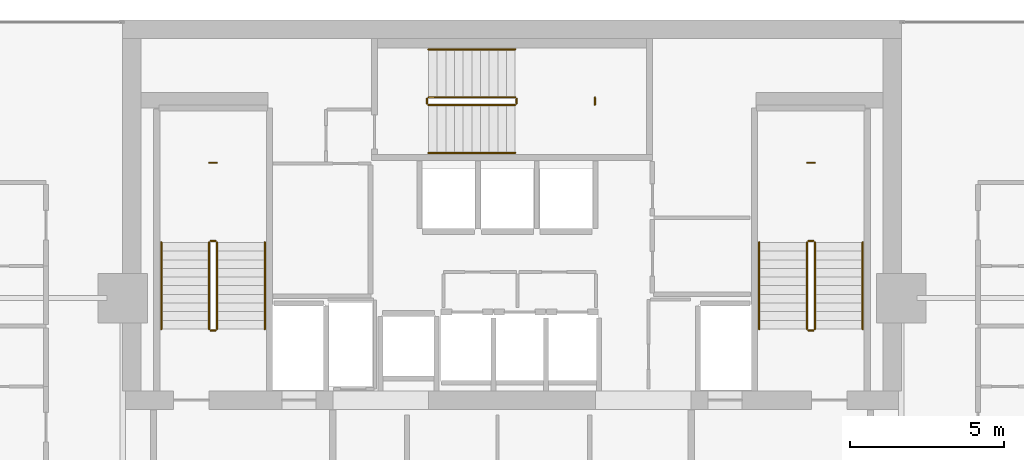
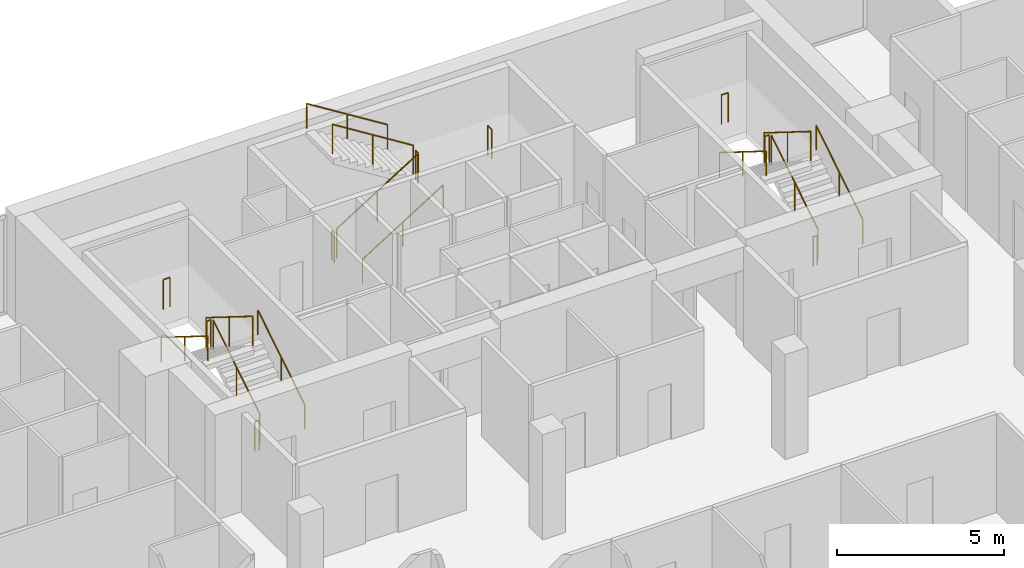
# One storey, part 26 of 26: 21 railings.
"""IFC4 building model written with IfcOpenShell, lengths in metres."""

from ifc_helpers import new_model, si_unit, direction, frame, origin, origin_2d, place, context, subcontext, project, spatial, circle, extrude, material, type_object, element, save


model = new_model("IFC4")

# Units and contexts
model_context = context("Model", 3, precision=1e-05, world=origin(), true_north=direction((0.0, 1.0)))
body_context = subcontext(model_context, "Body", "Model", "MODEL_VIEW")
ifc_project = project(units=[si_unit("LENGTHUNIT", "METRE"), si_unit("AREAUNIT", "SQUARE_METRE"), si_unit("VOLUMEUNIT", "CUBIC_METRE"), si_unit("PLANEANGLEUNIT", "RADIAN"), si_unit("MASSUNIT", "GRAM", prefix="KILO")], contexts=[model_context])

# Site, building, storey
site_placement = place(None, origin())
site = spatial("IfcSite", under=ifc_project, at=site_placement, CompositionType="ELEMENT")
building_placement = place(site_placement, origin())
building = spatial("IfcBuilding", under=site, at=building_placement, Name="Maruvema Waterfront Hotel and Observation Tower", CompositionType="ELEMENT")
storey_placement = place(building_placement, frame((0.0, 0.0, 289.449951171875)))
storey = spatial("IfcBuildingStorey", under=building, at=storey_placement, Name="L71", CompositionType="ELEMENT", Elevation=289.449951171875)

# Railings
ifc_material_1 = material(Name="Brushed stainless steel Grade 316", Category="steel")
railing_type_1 = type_object("IfcRailingType", Name="Ramp Continuous Wall Handrail 920 mm", PredefinedType="HANDRAIL", material=ifc_material_1)
railing_1_placement = place(storey_placement, frame((29.800048828125, 44.0, 0.175048828125)))
element("IfcRailing", 1, at=railing_1_placement, inside=storey, type_object=railing_type_1, Name="L71 ST-01 stair handrail 1", PredefinedType="HANDRAIL", context=body_context, shape_type="SweptSolid", body=[
    extrude(circle(Radius=0.02392578125, at=origin_2d()), frame((0.0, 0.0, 0.89599609375), z_axis=(0.0, 0.848002457836, 0.529992293815), x_axis=(-1.0, 0.0, 0.0)), (0.0, 0.0, 1.0), 3.302001953125),
    extrude(circle(Radius=0.02099609375, at=origin_2d()), origin(), (0.0, 0.0, 1.0), 0.871826171875),
    extrude(circle(Radius=0.02099609375, at=origin_2d()), frame((0.0, 1.39990234375, 0.875)), (0.0, 0.0, 1.0), 0.871826171875),
    extrude(circle(Radius=0.02099609375, at=origin_2d()), frame((0.0, 2.800048828125, 1.75)), (0.0, 0.0, 1.0), 0.871826171875),
])
railing_2_placement = place(storey_placement, frame((26.449951171875, 46.800048828125, 2.10009765625)))
element("IfcRailing", 2, at=railing_2_placement, inside=storey, type_object=railing_type_1, Name="L71 ST-01 stair handrail 2", PredefinedType="HANDRAIL", context=body_context, shape_type="SweptSolid", body=[
    extrude(circle(Radius=0.02392578125, at=origin_2d()), frame((0.0, 0.0, 0.89599609375), z_axis=(0.0, -0.848002457836, 0.529992293815), x_axis=(1.0, 0.0, 0.0)), (0.0, 0.0, 1.0), 3.302001953125),
    extrude(circle(Radius=0.02099609375, at=origin_2d()), origin(), (0.0, 0.0, 1.0), 0.871826171875),
    extrude(circle(Radius=0.02099609375, at=origin_2d()), frame((0.0, -1.39990234375, 0.875)), (0.0, 0.0, 1.0), 0.871826171875),
    extrude(circle(Radius=0.02099609375, at=origin_2d()), frame((0.0, -2.800048828125, 1.75)), (0.0, 0.0, 1.0), 0.871826171875),
])
railing_3_placement = place(storey_placement, frame((35.10009765625, 49.699951171875, 0.175048828125)))
element("IfcRailing", 3, at=railing_3_placement, inside=storey, type_object=railing_type_1, Name="L71 ST-02 stair handrail 1", PredefinedType="HANDRAIL", context=body_context, shape_type="SweptSolid", body=[
    extrude(circle(Radius=0.02392578125, at=origin_2d()), frame((0.0, 0.0, 0.89599609375), z_axis=(0.847981687118, 0.0, 0.530025526095), x_axis=(0.0, 1.0, 0.0)), (0.0, 0.0, 1.0), 3.3017578125),
    extrude(circle(Radius=0.02099609375, at=origin_2d()), origin(), (0.0, 0.0, 1.0), 0.871826171875),
    extrude(circle(Radius=0.02099609375, at=origin_2d()), frame((1.39990234375, 0.0, 0.875)), (0.0, 0.0, 1.0), 0.871826171875),
    extrude(circle(Radius=0.02099609375, at=origin_2d()), frame((2.7998046875, 0.0, 1.75)), (0.0, 0.0, 1.0), 0.871826171875),
])
railing_4_placement = place(storey_placement, frame((37.89990234375, 53.050048828125, 2.10009765625)))
element("IfcRailing", 4, at=railing_4_placement, inside=storey, type_object=railing_type_1, Name="L71 ST-02 stair handrail 2", PredefinedType="HANDRAIL", context=body_context, shape_type="SweptSolid", body=[
    extrude(circle(Radius=0.02392578125, at=origin_2d()), frame((0.0, 0.0, 0.89599609375), z_axis=(-0.847981687118, 0.0, 0.530025526095), x_axis=(0.0, -1.0, 0.0)), (0.0, 0.0, 1.0), 3.3017578125),
    extrude(circle(Radius=0.02099609375, at=origin_2d()), origin(), (0.0, 0.0, 1.0), 0.871826171875),
    extrude(circle(Radius=0.02099609375, at=origin_2d()), frame((-1.39990234375, 0.0, 0.875)), (0.0, 0.0, 1.0), 0.871826171875),
    extrude(circle(Radius=0.02099609375, at=origin_2d()), frame((-2.7998046875, 0.0, 1.75)), (0.0, 0.0, 1.0), 0.871826171875),
])
railing_5_placement = place(storey_placement, frame((49.14990234375, 44.0, 0.175048828125)))
element("IfcRailing", 5, at=railing_5_placement, inside=storey, type_object=railing_type_1, Name="L71 ST-03 stair handrail 1", PredefinedType="HANDRAIL", context=body_context, shape_type="SweptSolid", body=[
    extrude(circle(Radius=0.02392578125, at=origin_2d()), frame((0.0, 0.0, 0.89599609375), z_axis=(0.0, 0.848002457836, 0.529992293815), x_axis=(-1.0, 0.0, 0.0)), (0.0, 0.0, 1.0), 3.302001953125),
    extrude(circle(Radius=0.02099609375, at=origin_2d()), origin(), (0.0, 0.0, 1.0), 0.871826171875),
    extrude(circle(Radius=0.02099609375, at=origin_2d()), frame((0.0, 1.39990234375, 0.875)), (0.0, 0.0, 1.0), 0.871826171875),
    extrude(circle(Radius=0.02099609375, at=origin_2d()), frame((0.0, 2.800048828125, 1.75)), (0.0, 0.0, 1.0), 0.871826171875),
])
railing_6_placement = place(storey_placement, frame((45.800048828125, 46.800048828125, 2.10009765625)))
element("IfcRailing", 6, at=railing_6_placement, inside=storey, type_object=railing_type_1, Name="L71 ST-03 stair handrail 2", PredefinedType="HANDRAIL", context=body_context, shape_type="SweptSolid", body=[
    extrude(circle(Radius=0.02392578125, at=origin_2d()), frame((0.0, 0.0, 0.89599609375), z_axis=(0.0, -0.848002457836, 0.529992293815), x_axis=(1.0, 0.0, 0.0)), (0.0, 0.0, 1.0), 3.302001953125),
    extrude(circle(Radius=0.02099609375, at=origin_2d()), origin(), (0.0, 0.0, 1.0), 0.871826171875),
    extrude(circle(Radius=0.02099609375, at=origin_2d()), frame((0.0, -1.39990234375, 0.875)), (0.0, 0.0, 1.0), 0.871826171875),
    extrude(circle(Radius=0.02099609375, at=origin_2d()), frame((0.0, -2.800048828125, 1.75)), (0.0, 0.0, 1.0), 0.871826171875),
])
ifc_material_2 = material(Name="Brushed stainless steel Grade 316", Category="steel")
railing_type_2 = type_object("IfcRailingType", Name="Ramp and Terrace Guard Balustrade 1100 mm", PredefinedType="BALUSTRADE", material=ifc_material_2)
railing_7_placement = place(storey_placement, frame((28.25, 44.0, 0.175048828125)))
element("IfcRailing", 7, at=railing_7_placement, inside=storey, type_object=railing_type_2, Name="L71 ST-01 stair guard 1", PredefinedType="BALUSTRADE", context=body_context, shape_type="SweptSolid", body=[
    extrude(circle(Radius=0.02392578125, at=origin_2d()), frame((0.0, 0.0, 1.076171875), z_axis=(0.0, 0.848002457836, 0.529992293815), x_axis=(-1.0, 0.0, 0.0)), (0.0, 0.0, 1.0), 3.302001953125),
    extrude(circle(Radius=0.02099609375, at=origin_2d()), origin(), (0.0, 0.0, 1.0), 1.052001953125),
    extrude(circle(Radius=0.02099609375, at=origin_2d()), frame((0.0, 1.39990234375, 0.875)), (0.0, 0.0, 1.0), 1.052001953125),
    extrude(circle(Radius=0.02099609375, at=origin_2d()), frame((0.0, 2.800048828125, 1.75)), (0.0, 0.0, 1.0), 1.052001953125),
])
railing_8_placement = place(storey_placement, frame((28.199951171875, 46.85009765625, 1.925048828125)))
element("IfcRailing", 8, at=railing_8_placement, inside=storey, type_object=railing_type_2, Name="L71 ST-01 stair guard 2", PredefinedType="BALUSTRADE", context=body_context, shape_type="SweptSolid", body=[
    extrude(circle(Radius=0.02392578125, at=origin_2d()), frame((0.0, 0.0, 1.076171875), z_axis=(-1.0, 0.0, 0.0), x_axis=(0.0, -1.0, 0.0)), (0.0, 0.0, 1.0), 0.14990234375),
    extrude(circle(Radius=0.02099609375, at=origin_2d()), origin(), (0.0, 0.0, 1.0), 1.052001953125),
    extrude(circle(Radius=0.02099609375, at=origin_2d()), frame((-0.14990234375, 0.0, 0.0)), (0.0, 0.0, 1.0), 1.052001953125),
])
railing_9_placement = place(storey_placement, frame((28.0, 46.800048828125, 2.10009765625)))
element("IfcRailing", 9, at=railing_9_placement, inside=storey, type_object=railing_type_2, Name="L71 ST-01 stair guard 3", PredefinedType="BALUSTRADE", context=body_context, shape_type="SweptSolid", body=[
    extrude(circle(Radius=0.02392578125, at=origin_2d()), frame((0.0, 0.0, 1.076171875), z_axis=(0.0, -0.848002457836, 0.529992293815), x_axis=(1.0, 0.0, 0.0)), (0.0, 0.0, 1.0), 3.302001953125),
    extrude(circle(Radius=0.02099609375, at=origin_2d()), origin(), (0.0, 0.0, 1.0), 1.052001953125),
    extrude(circle(Radius=0.02099609375, at=origin_2d()), frame((0.0, -1.39990234375, 0.875)), (0.0, 0.0, 1.0), 1.052001953125),
    extrude(circle(Radius=0.02099609375, at=origin_2d()), frame((0.0, -2.800048828125, 1.75)), (0.0, 0.0, 1.0), 1.052001953125),
])
railing_10_placement = place(storey_placement, frame((28.199951171875, 43.949951171875, 0.0)))
element("IfcRailing", 10, at=railing_10_placement, inside=storey, type_object=railing_type_2, Name="L71 ST-01 stair guard 4", PredefinedType="BALUSTRADE", context=body_context, shape_type="SweptSolid", body=[
    extrude(circle(Radius=0.02392578125, at=origin_2d()), frame((0.0, 0.0, 1.076171875), z_axis=(-1.0, 0.0, 0.0), x_axis=(0.0, -1.0, 0.0)), (0.0, 0.0, 1.0), 0.14990234375),
    extrude(circle(Radius=0.02099609375, at=origin_2d()), origin(), (0.0, 0.0, 1.0), 1.052001953125),
    extrude(circle(Radius=0.02099609375, at=origin_2d()), frame((-0.14990234375, 0.0, 0.0)), (0.0, 0.0, 1.0), 1.052001953125),
])
railing_11_placement = place(storey_placement, frame((28.239990234375, 49.3798828125, 1.925048828125)))
element("IfcRailing", 11, at=railing_11_placement, inside=storey, type_object=railing_type_2, Name="L71 ST-01 Half-Landing Slot Guard", PredefinedType="BALUSTRADE", context=body_context, shape_type="SweptSolid", body=[
    extrude(circle(Radius=0.02392578125, at=origin_2d()), frame((0.0, 0.0, 1.076171875), z_axis=(-1.0, 0.0, 0.0), x_axis=(0.0, -1.0, 0.0)), (0.0, 0.0, 1.0), 0.22998046875),
    extrude(circle(Radius=0.02099609375, at=origin_2d()), origin(), (0.0, 0.0, 1.0), 1.052001953125),
    extrude(circle(Radius=0.02099609375, at=origin_2d()), frame((-0.22998046875, 0.0, 0.0)), (0.0, 0.0, 1.0), 1.052001953125),
])
railing_12_placement = place(storey_placement, frame((35.10009765625, 51.25, 0.175048828125)))
element("IfcRailing", 12, at=railing_12_placement, inside=storey, type_object=railing_type_2, Name="L71 ST-02 stair guard 1", PredefinedType="BALUSTRADE", context=body_context, shape_type="SweptSolid", body=[
    extrude(circle(Radius=0.02392578125, at=origin_2d()), frame((0.0, 0.0, 1.076171875), z_axis=(0.847981687118, 0.0, 0.530025526095), x_axis=(0.0, 1.0, 0.0)), (0.0, 0.0, 1.0), 3.3017578125),
    extrude(circle(Radius=0.02099609375, at=origin_2d()), origin(), (0.0, 0.0, 1.0), 1.052001953125),
    extrude(circle(Radius=0.02099609375, at=origin_2d()), frame((1.39990234375, 0.0, 0.875)), (0.0, 0.0, 1.0), 1.052001953125),
    extrude(circle(Radius=0.02099609375, at=origin_2d()), frame((2.7998046875, 0.0, 1.75)), (0.0, 0.0, 1.0), 1.052001953125),
])
railing_13_placement = place(storey_placement, frame((37.949951171875, 51.300048828125, 1.925048828125)))
element("IfcRailing", 13, at=railing_13_placement, inside=storey, type_object=railing_type_2, Name="L71 ST-02 stair guard 2", PredefinedType="BALUSTRADE", context=body_context, shape_type="SweptSolid", body=[
    extrude(circle(Radius=0.02392578125, at=origin_2d()), frame((0.0, 0.0, 1.076171875), z_axis=(0.0, 1.0, 0.0), x_axis=(-1.0, 0.0, 0.0)), (0.0, 0.0, 1.0), 0.14990234375),
    extrude(circle(Radius=0.02099609375, at=origin_2d()), origin(), (0.0, 0.0, 1.0), 1.052001953125),
    extrude(circle(Radius=0.02099609375, at=origin_2d()), frame((0.0, 0.14990234375, 0.0)), (0.0, 0.0, 1.0), 1.052001953125),
])
railing_14_placement = place(storey_placement, frame((37.89990234375, 51.5, 2.10009765625)))
element("IfcRailing", 14, at=railing_14_placement, inside=storey, type_object=railing_type_2, Name="L71 ST-02 stair guard 3", PredefinedType="BALUSTRADE", context=body_context, shape_type="SweptSolid", body=[
    extrude(circle(Radius=0.02392578125, at=origin_2d()), frame((0.0, 0.0, 1.076171875), z_axis=(-0.847981687118, 0.0, 0.530025526095), x_axis=(0.0, -1.0, 0.0)), (0.0, 0.0, 1.0), 3.3017578125),
    extrude(circle(Radius=0.02099609375, at=origin_2d()), origin(), (0.0, 0.0, 1.0), 1.052001953125),
    extrude(circle(Radius=0.02099609375, at=origin_2d()), frame((-1.39990234375, 0.0, 0.875)), (0.0, 0.0, 1.0), 1.052001953125),
    extrude(circle(Radius=0.02099609375, at=origin_2d()), frame((-2.7998046875, 0.0, 1.75)), (0.0, 0.0, 1.0), 1.052001953125),
])
railing_15_placement = place(storey_placement, frame((35.050048828125, 51.300048828125, 0.0)))
element("IfcRailing", 15, at=railing_15_placement, inside=storey, type_object=railing_type_2, Name="L71 ST-02 stair guard 4", PredefinedType="BALUSTRADE", context=body_context, shape_type="SweptSolid", body=[
    extrude(circle(Radius=0.02392578125, at=origin_2d()), frame((0.0, 0.0, 1.076171875), z_axis=(0.0, 1.0, 0.0), x_axis=(-1.0, 0.0, 0.0)), (0.0, 0.0, 1.0), 0.14990234375),
    extrude(circle(Radius=0.02099609375, at=origin_2d()), origin(), (0.0, 0.0, 1.0), 1.052001953125),
    extrude(circle(Radius=0.02099609375, at=origin_2d()), frame((0.0, 0.14990234375, 0.0)), (0.0, 0.0, 1.0), 1.052001953125),
])
railing_16_placement = place(storey_placement, frame((40.47998046875, 51.260009765625, 1.925048828125)))
element("IfcRailing", 16, at=railing_16_placement, inside=storey, type_object=railing_type_2, Name="L71 ST-02 Half-Landing Slot Guard", PredefinedType="BALUSTRADE", context=body_context, shape_type="SweptSolid", body=[
    extrude(circle(Radius=0.02392578125, at=origin_2d()), frame((0.0, 0.0, 1.076171875), z_axis=(0.0, 1.0, 0.0), x_axis=(-1.0, 0.0, 0.0)), (0.0, 0.0, 1.0), 0.22998046875),
    extrude(circle(Radius=0.02099609375, at=origin_2d()), origin(), (0.0, 0.0, 1.0), 1.052001953125),
    extrude(circle(Radius=0.02099609375, at=origin_2d()), frame((0.0, 0.22998046875, 0.0)), (0.0, 0.0, 1.0), 1.052001953125),
])
railing_17_placement = place(storey_placement, frame((47.60009765625, 44.0, 0.175048828125)))
element("IfcRailing", 17, at=railing_17_placement, inside=storey, type_object=railing_type_2, Name="L71 ST-03 stair guard 1", PredefinedType="BALUSTRADE", context=body_context, shape_type="SweptSolid", body=[
    extrude(circle(Radius=0.02392578125, at=origin_2d()), frame((0.0, 0.0, 1.076171875), z_axis=(0.0, 0.848002457836, 0.529992293815), x_axis=(-1.0, 0.0, 0.0)), (0.0, 0.0, 1.0), 3.302001953125),
    extrude(circle(Radius=0.02099609375, at=origin_2d()), origin(), (0.0, 0.0, 1.0), 1.052001953125),
    extrude(circle(Radius=0.02099609375, at=origin_2d()), frame((0.0, 1.39990234375, 0.875)), (0.0, 0.0, 1.0), 1.052001953125),
    extrude(circle(Radius=0.02099609375, at=origin_2d()), frame((0.0, 2.800048828125, 1.75)), (0.0, 0.0, 1.0), 1.052001953125),
])
railing_18_placement = place(storey_placement, frame((47.550048828125, 46.85009765625, 1.925048828125)))
element("IfcRailing", 18, at=railing_18_placement, inside=storey, type_object=railing_type_2, Name="L71 ST-03 stair guard 2", PredefinedType="BALUSTRADE", context=body_context, shape_type="SweptSolid", body=[
    extrude(circle(Radius=0.02392578125, at=origin_2d()), frame((0.0, 0.0, 1.076171875), z_axis=(-1.0, 0.0, 0.0), x_axis=(0.0, -1.0, 0.0)), (0.0, 0.0, 1.0), 0.150146484375),
    extrude(circle(Radius=0.02099609375, at=origin_2d()), origin(), (0.0, 0.0, 1.0), 1.052001953125),
    extrude(circle(Radius=0.02099609375, at=origin_2d()), frame((-0.150146484375, 0.0, 0.0)), (0.0, 0.0, 1.0), 1.052001953125),
])
railing_19_placement = place(storey_placement, frame((47.35009765625, 46.800048828125, 2.10009765625)))
element("IfcRailing", 19, at=railing_19_placement, inside=storey, type_object=railing_type_2, Name="L71 ST-03 stair guard 3", PredefinedType="BALUSTRADE", context=body_context, shape_type="SweptSolid", body=[
    extrude(circle(Radius=0.02392578125, at=origin_2d()), frame((0.0, 0.0, 1.076171875), z_axis=(0.0, -0.848002457836, 0.529992293815), x_axis=(1.0, 0.0, 0.0)), (0.0, 0.0, 1.0), 3.302001953125),
    extrude(circle(Radius=0.02099609375, at=origin_2d()), origin(), (0.0, 0.0, 1.0), 1.052001953125),
    extrude(circle(Radius=0.02099609375, at=origin_2d()), frame((0.0, -1.39990234375, 0.875)), (0.0, 0.0, 1.0), 1.052001953125),
    extrude(circle(Radius=0.02099609375, at=origin_2d()), frame((0.0, -2.800048828125, 1.75)), (0.0, 0.0, 1.0), 1.052001953125),
])
railing_20_placement = place(storey_placement, frame((47.550048828125, 43.949951171875, 0.0)))
element("IfcRailing", 20, at=railing_20_placement, inside=storey, type_object=railing_type_2, Name="L71 ST-03 stair guard 4", PredefinedType="BALUSTRADE", context=body_context, shape_type="SweptSolid", body=[
    extrude(circle(Radius=0.02392578125, at=origin_2d()), frame((0.0, 0.0, 1.076171875), z_axis=(-1.0, 0.0, 0.0), x_axis=(0.0, -1.0, 0.0)), (0.0, 0.0, 1.0), 0.150146484375),
    extrude(circle(Radius=0.02099609375, at=origin_2d()), origin(), (0.0, 0.0, 1.0), 1.052001953125),
    extrude(circle(Radius=0.02099609375, at=origin_2d()), frame((-0.150146484375, 0.0, 0.0)), (0.0, 0.0, 1.0), 1.052001953125),
])
railing_21_placement = place(storey_placement, frame((47.590087890625, 49.3798828125, 1.925048828125)))
element("IfcRailing", 21, at=railing_21_placement, inside=storey, type_object=railing_type_2, Name="L71 ST-03 Half-Landing Slot Guard", PredefinedType="BALUSTRADE", context=body_context, shape_type="SweptSolid", body=[
    extrude(circle(Radius=0.02392578125, at=origin_2d()), frame((0.0, 0.0, 1.076171875), z_axis=(-1.0, 0.0, 0.0), x_axis=(0.0, -1.0, 0.0)), (0.0, 0.0, 1.0), 0.22998046875),
    extrude(circle(Radius=0.02099609375, at=origin_2d()), origin(), (0.0, 0.0, 1.0), 1.052001953125),
    extrude(circle(Radius=0.02099609375, at=origin_2d()), frame((-0.22998046875, 0.0, 0.0)), (0.0, 0.0, 1.0), 1.052001953125),
])

save(model, "model.ifc")
